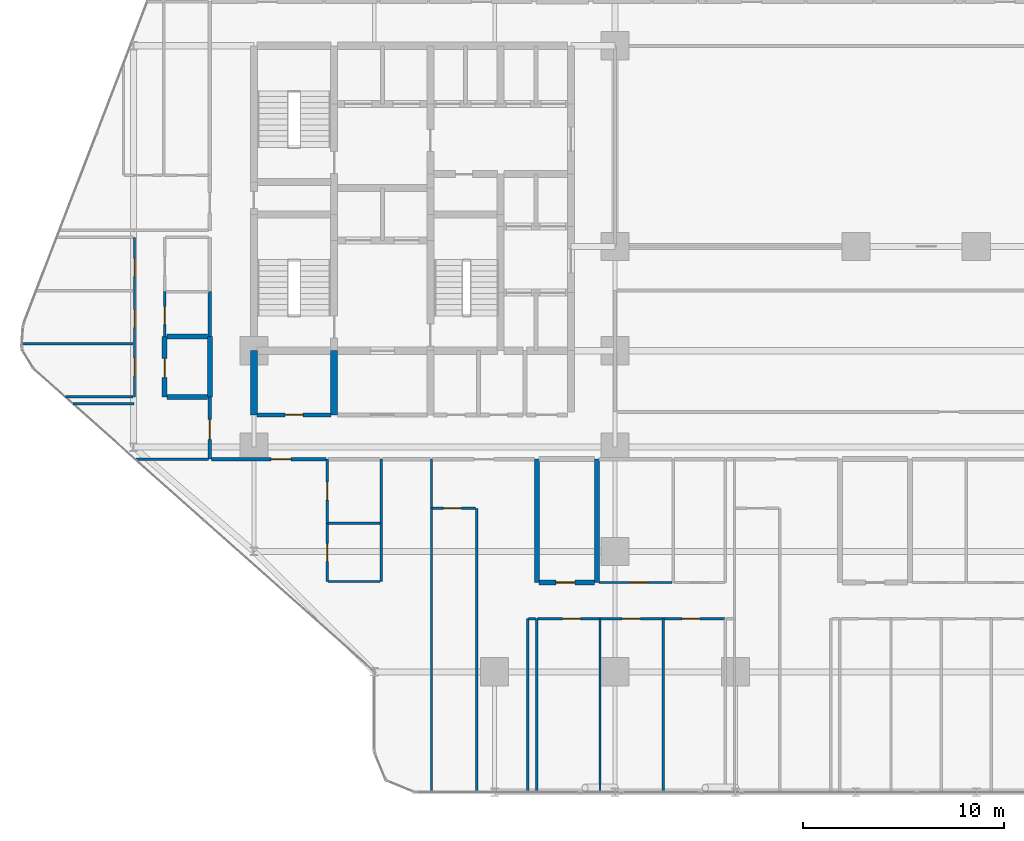
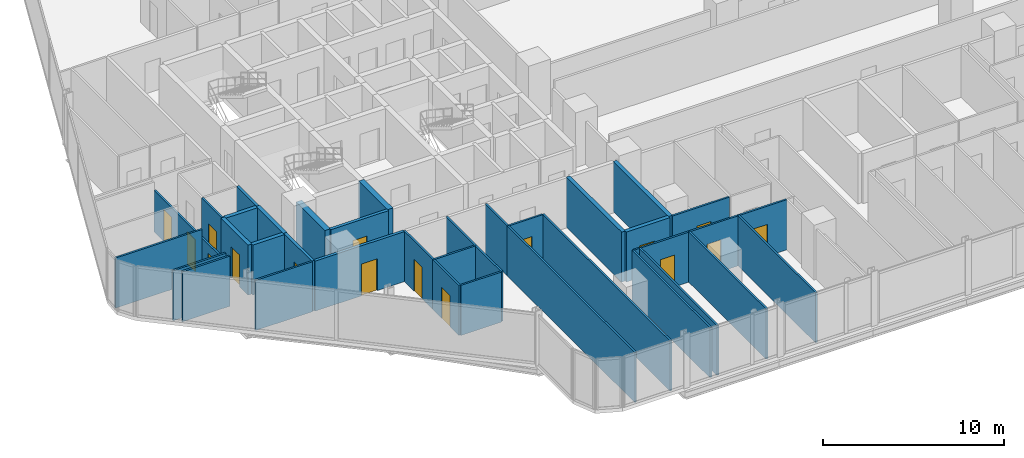
# One storey, part 26 of 33: 36 walls, 16 doors, 16 openings.
"""IFC4 building model written with IfcOpenShell, lengths in metres."""

from ifc_helpers import new_model, si_unit, direction, frame, frame_2d, origin, place, context, subcontext, project, spatial, rectangle, extrude, material, layer, layer_set, type_object, element, fill, save


model = new_model("IFC4")

# Units and contexts
model_context = context("Model", 3, precision=1e-05, world=origin(), true_north=direction((0.0, 1.0)))
body_context = subcontext(model_context, "Body", "Model", "MODEL_VIEW")
ifc_project = project(units=[si_unit("LENGTHUNIT", "METRE"), si_unit("AREAUNIT", "SQUARE_METRE"), si_unit("VOLUMEUNIT", "CUBIC_METRE"), si_unit("PLANEANGLEUNIT", "RADIAN"), si_unit("MASSUNIT", "GRAM", prefix="KILO")], contexts=[model_context])

# Site, building, storey
site_placement = place(None, origin())
site = spatial("IfcSite", under=ifc_project, at=site_placement, CompositionType="ELEMENT")
building_placement = place(site_placement, origin())
building = spatial("IfcBuilding", under=site, at=building_placement, Name="Keshet Zoharim Tower", CompositionType="ELEMENT")
storey_placement = place(building_placement, frame((0.0, 0.0, 27.699951171875)))
storey = spatial("IfcBuildingStorey", under=building, at=storey_placement, Name="L05", CompositionType="ELEMENT", Elevation=27.699951171875)

# Walls
ifc_material_1 = material(Name="Concrete C60/75", Category="concrete")
ifc_layer_1 = layer(ifc_material_1, 0.35009765625)
ifc_layer_set_1 = layer_set([ifc_layer_1], Name="Concrete C60/75")
wall_type_1 = type_object("IfcWallType", Name="WL-CORE-350", PredefinedType="SHEAR", material=ifc_layer_set_1)
for number, where, z_axis, x_axis, name in (
    (1, (15.0, 19.5, 0.0), (0.0, 0.0, 1.0), (0.0, 1.0, 0.0), "L05 Core Shear Wall 013"),
    (2, (19.0, 19.5, 0.0), (0.0, 0.0, 1.0), (0.0, 1.0, 0.0), "L05 Core Shear Wall 021"),
):
    element("IfcWall", number, at=place(storey_placement, frame(where, z_axis=z_axis, x_axis=x_axis)), inside=storey, type_object=wall_type_1, Name=name, PredefinedType="SHEAR", context=body_context, shape_type="SweptSolid", body=[
        extrude(rectangle(XDim=3.199951171875, YDim=0.35009765625, at=frame_2d((1.60009765625, 0.0))), origin(), (0.0, 0.0, 1.0), 3.385009765625),
    ])

# Wall, opening, door
ifc_material_2 = material(Name="Gypsum Plasterboard", Category="gypsum")
ifc_layer_2 = layer(ifc_material_2, 0.179931640625)
ifc_layer_set_2 = layer_set([ifc_layer_2], Name="Gypsum Plasterboard")
wall_type_2 = type_object("IfcWallType", Name="WL-CORR-180", PredefinedType="STANDARD", material=ifc_layer_set_2)
wall_1_placement = place(storey_placement, frame((12.800048828125, 17.300048828125, 0.0), z_axis=(0.0, 0.0, 1.0), x_axis=(0.0, 1.0, 0.0)))
wall_1 = element("IfcWall", 3, at=wall_1_placement, inside=storey, type_object=wall_type_2, Name="L05 Interior Wall 007", PredefinedType="STANDARD", context=body_context, shape_type="SweptSolid", body=[
    extrude(rectangle(XDim=3.099853515625, YDim=0.179931640625, at=frame_2d((1.5498046875, 0.0))), origin(), (0.0, 0.0, 1.0), 3.385009765625),
])
opening_1_placement = place(wall_1_placement, frame((0.97802734375, 0.0, 0.0)))
opening_1 = element("IfcOpeningElement", 4, at=opening_1_placement, cuts=wall_1, Name="Opening D-F310", PredefinedType="OPENING", context=body_context, shape_type="SweptSolid", body=[
    extrude(rectangle(XDim=1.0, YDim=2.14990234375, at=frame_2d((0.5, 1.074951171875))), frame((0.0, 0.10009765625, 0.0), z_axis=(0.0, -1.0, 0.0), x_axis=(1.0, 0.0, 0.0)), (0.0, 0.0, 1.0), 0.199951171875),
])
ifc_material_3 = material(Name="Hardwood Timber", Category="wood")
door_type_1 = type_object("IfcDoorType", Name="DR-FD30-100", OperationType="NOTDEFINED", PredefinedType="DOOR", material=ifc_material_3)
door_1_placement = place(opening_1_placement, origin())
door_1 = element("IfcDoor", 5, at=door_1_placement, inside=storey, type_object=door_type_1, Name="Apartment 0509 Entrance Door", OperationType="SINGLE_SWING_LEFT", OverallHeight=2.14990234375, OverallWidth=1.0, PredefinedType="DOOR", context=body_context, shape_type="SweptSolid", body=[
    extrude(rectangle(XDim=1.0, YDim=2.14990234375, at=frame_2d((0.5, 1.074951171875))), frame((0.0, 0.02490234375, 0.0), z_axis=(0.0, -1.0, 0.0), x_axis=(1.0, 0.0, 0.0)), (0.0, 0.0, 1.0), 0.050048828125),
])
fill(opening_1, door_1)

# Wall
wall_2_placement = place(storey_placement, frame((12.800048828125, 23.4208984375, 0.0), z_axis=(0.0, 0.0, 1.0), x_axis=(0.0, 1.0, 0.0)))
element("IfcWall", 6, at=wall_2_placement, inside=storey, type_object=wall_type_2, Name="L05 Interior Wall 009", PredefinedType="STANDARD", context=body_context, shape_type="SweptSolid", body=[
    extrude(rectangle(XDim=2.22607421875, YDim=0.179931640625, at=frame_2d((1.113037109375, 0.0))), origin(), (0.0, 0.0, 1.0), 3.385009765625),
])

# Wall, opening, door
wall_3_placement = place(storey_placement, frame((12.875, 17.300048828125, 0.0), z_axis=(0.0, 0.0, 1.0), x_axis=(1.0, 0.0, 0.0)))
wall_3 = element("IfcWall", 7, at=wall_3_placement, inside=storey, type_object=wall_type_2, Name="L05 Interior Wall 152", PredefinedType="STANDARD", context=body_context, shape_type="SweptSolid", body=[
    extrude(rectangle(XDim=5.719970703125, YDim=0.179931640625, at=frame_2d((2.85986328125, 0.0))), origin(), (0.0, 0.0, 1.0), 3.385009765625),
])
opening_2_placement = place(wall_3_placement, frame((2.97509765625, 0.0, 0.0)))
opening_2 = element("IfcOpeningElement", 8, at=opening_2_placement, cuts=wall_3, Name="Opening D-F310", PredefinedType="OPENING", context=body_context, shape_type="SweptSolid", body=[
    extrude(rectangle(XDim=1.0, YDim=2.14990234375, at=frame_2d((0.5, 1.074951171875))), frame((0.0, 0.10009765625, 0.0), z_axis=(0.0, -1.0, 0.0), x_axis=(1.0, 0.0, 0.0)), (0.0, 0.0, 1.0), 0.199951171875),
])
door_2_placement = place(opening_2_placement, origin())
door_2 = element("IfcDoor", 9, at=door_2_placement, inside=storey, type_object=door_type_1, Name="Apartment 0501 Entrance Door", OperationType="SINGLE_SWING_RIGHT", OverallHeight=2.14990234375, OverallWidth=1.0, PredefinedType="DOOR", context=body_context, shape_type="SweptSolid", body=[
    extrude(rectangle(XDim=1.0, YDim=2.14990234375, at=frame_2d((0.5, 1.074951171875))), frame((0.0, 0.02490234375, 0.0), z_axis=(0.0, -1.0, 0.0), x_axis=(1.0, 0.0, 0.0)), (0.0, 0.0, 1.0), 0.050048828125),
])
fill(opening_2, door_2)

ifc_material_4 = material(Name="Concrete C50/60", Category="concrete")
ifc_layer_3 = layer(ifc_material_4, 0.199951171875)
ifc_layer_set_3 = layer_set([ifc_layer_3], Name="Concrete C50/60")
wall_type_3 = type_object("IfcWallType", Name="WL-FIRE-200", PredefinedType="STANDARD", material=ifc_layer_set_3)
wall_4_placement = place(storey_placement, frame((15.159912109375, 19.5, 0.0), z_axis=(0.0, 0.0, 1.0), x_axis=(1.0, 0.0, 0.0)))
wall_4 = element("IfcWall", 10, at=wall_4_placement, inside=storey, type_object=wall_type_3, Name="L05 Interior Wall 168", PredefinedType="STANDARD", context=body_context, shape_type="SweptSolid", body=[
    extrude(rectangle(XDim=3.68017578125, YDim=0.199951171875, at=frame_2d((1.840087890625, 0.0))), origin(), (0.0, 0.0, 1.0), 3.385009765625),
])
opening_3_placement = place(wall_4_placement, frame((1.389892578125, 0.0, 0.0)))
opening_3 = element("IfcOpeningElement", 11, at=opening_3_placement, cuts=wall_4, Name="Opening D-F690", PredefinedType="OPENING", context=body_context, shape_type="SweptSolid", body=[
    extrude(rectangle(XDim=0.89990234375, YDim=2.14990234375, at=frame_2d((0.449951171875, 1.074951171875))), frame((0.0, 0.10986328125, 0.0), z_axis=(0.0, -1.0, 0.0), x_axis=(1.0, 0.0, 0.0)), (0.0, 0.0, 1.0), 0.219970703125),
])
door_type_2 = type_object("IfcDoorType", Name="DR-FD60-090", OperationType="NOTDEFINED", PredefinedType="DOOR", material=ifc_material_3)
door_3_placement = place(opening_3_placement, origin())
door_3 = element("IfcDoor", 12, at=door_3_placement, inside=storey, type_object=door_type_2, Name="L05 Pram Store Door", OperationType="SINGLE_SWING_RIGHT", OverallHeight=2.14990234375, OverallWidth=0.89990234375, PredefinedType="DOOR", context=body_context, shape_type="SweptSolid", body=[
    extrude(rectangle(XDim=0.89990234375, YDim=2.14990234375, at=frame_2d((0.449951171875, 1.074951171875))), frame((0.0, 0.02490234375, 0.0), z_axis=(0.0, -1.0, 0.0), x_axis=(1.0, 0.0, 0.0)), (0.0, 0.0, 1.0), 0.050048828125),
])
fill(opening_3, door_3)

ifc_layer_4 = layer(ifc_material_4, 0.25)
ifc_layer_set_4 = layer_set([ifc_layer_4], Name="Concrete C50/60")
wall_type_4 = type_object("IfcWallType", Name="WL-MAMAD-250", PredefinedType="STANDARD", material=ifc_layer_set_4)
wall_5_placement = place(storey_placement, frame((10.550048828125, 20.39990234375, 0.0), z_axis=(0.0, 0.0, 1.0), x_axis=(0.0, 1.0, 0.0)))
wall_5 = element("IfcWall", 13, at=wall_5_placement, inside=storey, type_object=wall_type_4, Name="L05 Interior Wall 004", PredefinedType="STANDARD", context=body_context, shape_type="SweptSolid", body=[
    extrude(rectangle(XDim=3.02099609375, YDim=0.25, at=frame_2d((1.510498046875, 0.0))), origin(), (0.0, 0.0, 1.0), 3.385009765625),
])
opening_4_placement = place(wall_5_placement, frame((0.964111328125, 0.0, 0.0)))
opening_4 = element("IfcOpeningElement", 14, at=opening_4_placement, cuts=wall_5, Name="Opening D-F695", PredefinedType="OPENING", context=body_context, shape_type="SweptSolid", body=[
    extrude(rectangle(XDim=0.949951171875, YDim=2.14990234375, at=frame_2d((0.47509765625, 1.074951171875))), frame((0.0, 0.135009765625, 0.0), z_axis=(0.0, -1.0, 0.0), x_axis=(1.0, 0.0, 0.0)), (0.0, 0.0, 1.0), 0.27001953125),
])
door_type_3 = type_object("IfcDoorType", Name="DR-FD60-095", OperationType="NOTDEFINED", PredefinedType="DOOR", material=ifc_material_3)
door_4_placement = place(opening_4_placement, origin())
door_4 = element("IfcDoor", 15, at=door_4_placement, inside=storey, type_object=door_type_3, Name="Apartment 0509 Study and Shelter Room Door", OperationType="SINGLE_SWING_RIGHT", OverallHeight=2.14990234375, OverallWidth=0.949951171875, PredefinedType="DOOR", context=body_context, shape_type="SweptSolid", body=[
    extrude(rectangle(XDim=0.949951171875, YDim=2.14990234375, at=frame_2d((0.47509765625, 1.074951171875))), frame((0.0, 0.02490234375, 0.0), z_axis=(0.0, -1.0, 0.0), x_axis=(1.0, 0.0, 0.0)), (0.0, 0.0, 1.0), 0.050048828125),
])
fill(opening_4, door_4)

# Walls
wall_6_placement = place(storey_placement, frame((12.800048828125, 20.39990234375, 0.0), z_axis=(0.0, 0.0, 1.0), x_axis=(0.0, 1.0, 0.0)))
element("IfcWall", 16, at=wall_6_placement, inside=storey, type_object=wall_type_4, Name="L05 Interior Wall 008", PredefinedType="STANDARD", context=body_context, shape_type="SweptSolid", body=[
    extrude(rectangle(XDim=3.02099609375, YDim=0.25, at=frame_2d((1.510498046875, 0.0))), origin(), (0.0, 0.0, 1.0), 3.385009765625),
])
for number, where, z_axis, x_axis, name in (
    (17, (29.10009765625, 11.14990234375, 0.0), (0.0, 0.0, 1.0), (0.0, 1.0, 0.0), "L05 Interior Wall 061"),
    (18, (32.10009765625, 11.14990234375, 0.0), (0.0, 0.0, 1.0), (0.0, 1.0, 0.0), "L05 Interior Wall 070"),
):
    element("IfcWall", number, at=place(storey_placement, frame(where, z_axis=z_axis, x_axis=x_axis)), inside=storey, type_object=wall_type_4, Name=name, PredefinedType="STANDARD", context=body_context, shape_type="SweptSolid", body=[
        extrude(rectangle(XDim=6.150146484375, YDim=0.25, at=frame_2d((3.0751953125, 0.0))), origin(), (0.0, 0.0, 1.0), 3.385009765625),
    ])

# Wall, opening, door
wall_7_placement = place(storey_placement, frame((29.199951171875, 11.14990234375, 0.0), z_axis=(0.0, 0.0, 1.0), x_axis=(1.0, 0.0, 0.0)))
wall_7 = element("IfcWall", 19, at=wall_7_placement, inside=storey, type_object=wall_type_4, Name="L05 Interior Wall 137", PredefinedType="STANDARD", context=body_context, shape_type="SweptSolid", body=[
    extrude(rectangle(XDim=2.779052734375, YDim=0.25, at=frame_2d((1.3896484375, 0.0))), origin(), (0.0, 0.0, 1.0), 3.385009765625),
])
opening_5_placement = place(wall_7_placement, frame((0.843994140625, 0.0, 0.0)))
opening_5 = element("IfcOpeningElement", 20, at=opening_5_placement, cuts=wall_7, Name="Opening D-F695", PredefinedType="OPENING", context=body_context, shape_type="SweptSolid", body=[
    extrude(rectangle(XDim=0.949951171875, YDim=2.14990234375, at=frame_2d((0.47509765625, 1.074951171875))), frame((0.0, 0.135009765625, 0.0), z_axis=(0.0, -1.0, 0.0), x_axis=(1.0, 0.0, 0.0)), (0.0, 0.0, 1.0), 0.27001953125),
])
door_5_placement = place(opening_5_placement, origin())
door_5 = element("IfcDoor", 21, at=door_5_placement, inside=storey, type_object=door_type_3, Name="Apartment 0502 Study and Shelter Room Door", OperationType="SINGLE_SWING_RIGHT", OverallHeight=2.14990234375, OverallWidth=0.949951171875, PredefinedType="DOOR", context=body_context, shape_type="SweptSolid", body=[
    extrude(rectangle(XDim=0.949951171875, YDim=2.14990234375, at=frame_2d((0.47509765625, 1.074951171875))), frame((0.0, 0.02490234375, 0.0), z_axis=(0.0, -1.0, 0.0), x_axis=(1.0, 0.0, 0.0)), (0.0, 0.0, 1.0), 0.050048828125),
])
fill(opening_5, door_5)

# Walls
for number, where, z_axis, x_axis, name in (
    (22, (10.659912109375, 20.39990234375, 0.0), (0.0, 0.0, 1.0), (1.0, 0.0, 0.0), "L05 Interior Wall 175"),
    (23, (10.659912109375, 23.39990234375, 0.0), (0.0, 0.0, 1.0), (1.0, 0.0, 0.0), "L05 Interior Wall 182"),
):
    element("IfcWall", number, at=place(storey_placement, frame(where, z_axis=z_axis, x_axis=x_axis)), inside=storey, type_object=wall_type_4, Name=name, PredefinedType="STANDARD", context=body_context, shape_type="SweptSolid", body=[
        extrude(rectangle(XDim=2.030029296875, YDim=0.25, at=frame_2d((1.01513671875, 0.0))), origin(), (0.0, 0.0, 1.0), 3.385009765625),
    ])

# Wall, openings, doors
ifc_layer_5 = layer(ifc_material_2, 0.1201171875)
ifc_layer_set_5 = layer_set([ifc_layer_5], Name="Gypsum Plasterboard")
wall_type_5 = type_object("IfcWallType", Name="WL-PART-120", PredefinedType="PARTITIONING", material=ifc_layer_set_5)
wall_8_placement = place(storey_placement, frame((9.050048828125, 20.39990234375, 0.0), z_axis=(0.0, 0.0, 1.0), x_axis=(0.0, 1.0, 0.0)))
wall_8 = element("IfcWall", 24, at=wall_8_placement, inside=storey, type_object=wall_type_5, Name="L05 Interior Wall 002", PredefinedType="PARTITIONING", context=body_context, shape_type="SweptSolid", body=[
    extrude(rectangle(XDim=7.9501953125, YDim=0.1201171875, at=frame_2d((3.97509765625, 0.0))), origin(), (0.0, 0.0, 1.0), 2.78515625),
])
opening_6_placement = place(wall_8_placement, frame((1.050048828125, 0.0, 0.0)))
opening_6 = element("IfcOpeningElement", 25, at=opening_6_placement, cuts=wall_8, Name="Opening D-IN90", PredefinedType="OPENING", context=body_context, shape_type="SweptSolid", body=[
    extrude(rectangle(XDim=0.89990234375, YDim=2.14990234375, at=frame_2d((0.449951171875, 1.074951171875))), frame((0.0, 0.070068359375, 0.0), z_axis=(0.0, -1.0, 0.0), x_axis=(1.0, 0.0, 0.0)), (0.0, 0.0, 1.0), 0.14013671875),
])
opening_7_placement = place(wall_8_placement, frame((3.455078125, 0.0, 0.0)))
opening_7 = element("IfcOpeningElement", 26, at=opening_7_placement, cuts=wall_8, Name="Opening D-IN90", PredefinedType="OPENING", context=body_context, shape_type="SweptSolid", body=[
    extrude(rectangle(XDim=0.89990234375, YDim=2.14990234375, at=frame_2d((0.449951171875, 1.074951171875))), frame((0.0, 0.070068359375, 0.0), z_axis=(0.0, -1.0, 0.0), x_axis=(1.0, 0.0, 0.0)), (0.0, 0.0, 1.0), 0.14013671875),
])
opening_8_placement = place(wall_8_placement, frame((6.0, 0.0, 0.0)))
opening_8 = element("IfcOpeningElement", 27, at=opening_8_placement, cuts=wall_8, Name="Opening D-IN90", PredefinedType="OPENING", context=body_context, shape_type="SweptSolid", body=[
    extrude(rectangle(XDim=0.89990234375, YDim=2.14990234375, at=frame_2d((0.449951171875, 1.074951171875))), frame((0.0, 0.070068359375, 0.0), z_axis=(0.0, -1.0, 0.0), x_axis=(1.0, 0.0, 0.0)), (0.0, 0.0, 1.0), 0.14013671875),
])
door_type_4 = type_object("IfcDoorType", Name="DR-INT-090", OperationType="NOTDEFINED", PredefinedType="DOOR", material=ifc_material_3)
door_6_placement = place(opening_6_placement, origin())
door_6 = element("IfcDoor", 28, at=door_6_placement, inside=storey, type_object=door_type_4, Name="Apartment 0509 Bedroom 1 Door", OperationType="SINGLE_SWING_LEFT", OverallHeight=2.14990234375, OverallWidth=0.89990234375, PredefinedType="DOOR", context=body_context, shape_type="SweptSolid", body=[
    extrude(rectangle(XDim=0.89990234375, YDim=2.14990234375, at=frame_2d((0.449951171875, 1.074951171875))), frame((0.0, 0.02490234375, 0.0), z_axis=(0.0, -1.0, 0.0), x_axis=(1.0, 0.0, 0.0)), (0.0, 0.0, 1.0), 0.050048828125),
])
fill(opening_6, door_6)
door_7_placement = place(opening_7_placement, origin())
door_7 = element("IfcDoor", 29, at=door_7_placement, inside=storey, type_object=door_type_4, Name="Apartment 0509 Bedroom 2 Door", OperationType="SINGLE_SWING_RIGHT", OverallHeight=2.14990234375, OverallWidth=0.89990234375, PredefinedType="DOOR", context=body_context, shape_type="SweptSolid", body=[
    extrude(rectangle(XDim=0.89990234375, YDim=2.14990234375, at=frame_2d((0.449951171875, 1.074951171875))), frame((0.0, 0.02490234375, 0.0), z_axis=(0.0, -1.0, 0.0), x_axis=(1.0, 0.0, 0.0)), (0.0, 0.0, 1.0), 0.050048828125),
])
fill(opening_7, door_7)
door_8_placement = place(opening_8_placement, origin())
door_8 = element("IfcDoor", 30, at=door_8_placement, inside=storey, type_object=door_type_4, Name="Apartment 0509 Bedroom 3 Door", OperationType="SINGLE_SWING_LEFT", OverallHeight=2.14990234375, OverallWidth=0.89990234375, PredefinedType="DOOR", context=body_context, shape_type="SweptSolid", body=[
    extrude(rectangle(XDim=0.89990234375, YDim=2.14990234375, at=frame_2d((0.449951171875, 1.074951171875))), frame((0.0, 0.02490234375, 0.0), z_axis=(0.0, -1.0, 0.0), x_axis=(1.0, 0.0, 0.0)), (0.0, 0.0, 1.0), 0.050048828125),
])
fill(opening_8, door_8)

# Wall, opening, door
wall_9_placement = place(storey_placement, frame((18.64990234375, 14.10009765625, 0.0), z_axis=(0.0, 0.0, 1.0), x_axis=(0.0, 1.0, 0.0)))
wall_9 = element("IfcWall", 31, at=wall_9_placement, inside=storey, type_object=wall_type_5, Name="L05 Interior Wall 020", PredefinedType="PARTITIONING", context=body_context, shape_type="SweptSolid", body=[
    extrude(rectangle(XDim=3.199951171875, YDim=0.1201171875, at=frame_2d((1.60009765625, 0.0))), origin(), (0.0, 0.0, 1.0), 3.385009765625),
])
opening_9_placement = place(wall_9_placement, frame((1.14990234375, 0.0, 0.0)))
opening_9 = element("IfcOpeningElement", 32, at=opening_9_placement, cuts=wall_9, Name="Opening D-IN90", PredefinedType="OPENING", context=body_context, shape_type="SweptSolid", body=[
    extrude(rectangle(XDim=0.89990234375, YDim=2.14990234375, at=frame_2d((0.449951171875, 1.074951171875))), frame((0.0, 0.070068359375, 0.0), z_axis=(0.0, -1.0, 0.0), x_axis=(1.0, 0.0, 0.0)), (0.0, 0.0, 1.0), 0.14013671875),
])
door_9_placement = place(opening_9_placement, origin())
door_9 = element("IfcDoor", 33, at=door_9_placement, inside=storey, type_object=door_type_4, Name="Apartment 0501 Kitchenette Door", OperationType="SINGLE_SWING_RIGHT", OverallHeight=2.14990234375, OverallWidth=0.89990234375, PredefinedType="DOOR", context=body_context, shape_type="SweptSolid", body=[
    extrude(rectangle(XDim=0.89990234375, YDim=2.14990234375, at=frame_2d((0.449951171875, 1.074951171875))), frame((0.0, 0.02490234375, 0.0), z_axis=(0.0, -1.0, 0.0), x_axis=(1.0, 0.0, 0.0)), (0.0, 0.0, 1.0), 0.050048828125),
])
fill(opening_9, door_9)

# Walls
wall_10_placement = place(storey_placement, frame((21.35009765625, 14.10009765625, 0.0), z_axis=(0.0, 0.0, 1.0), x_axis=(0.0, 1.0, 0.0)))
element("IfcWall", 34, at=wall_10_placement, inside=storey, type_object=wall_type_5, Name="L05 Interior Wall 029", PredefinedType="PARTITIONING", context=body_context, shape_type="SweptSolid", body=[
    extrude(rectangle(XDim=3.199951171875, YDim=0.1201171875, at=frame_2d((1.60009765625, 0.0))), origin(), (0.0, 0.0, 1.0), 3.385009765625),
])
wall_11_placement = place(storey_placement, frame((23.85009765625, 0.7099609375, 0.0), z_axis=(0.0, 0.0, 1.0), x_axis=(0.0, 1.0, 0.0)))
element("IfcWall", 35, at=wall_11_placement, inside=storey, type_object=wall_type_5, Name="L05 Interior Wall 041", PredefinedType="PARTITIONING", context=body_context, shape_type="SweptSolid", body=[
    extrude(rectangle(XDim=14.14013671875, YDim=0.1201171875, at=frame_2d((7.070068359375, 0.0))), origin(), (0.0, 0.0, 1.0), 3.385009765625),
])
wall_12_placement = place(storey_placement, frame((23.85009765625, 14.85009765625, 0.0), z_axis=(0.0, 0.0, 1.0), x_axis=(0.0, 1.0, 0.0)))
element("IfcWall", 36, at=wall_12_placement, inside=storey, type_object=wall_type_5, Name="L05 Interior Wall 042", PredefinedType="PARTITIONING", context=body_context, shape_type="SweptSolid", body=[
    extrude(rectangle(XDim=2.449951171875, YDim=0.1201171875, at=frame_2d((1.22509765625, 0.0))), origin(), (0.0, 0.0, 1.0), 3.385009765625),
])
wall_13_placement = place(storey_placement, frame((26.10009765625, 0.7099609375, 0.0), z_axis=(0.0, 0.0, 1.0), x_axis=(0.0, 1.0, 0.0)))
element("IfcWall", 37, at=wall_13_placement, inside=storey, type_object=wall_type_5, Name="L05 Interior Wall 045", PredefinedType="PARTITIONING", context=body_context, shape_type="SweptSolid", body=[
    extrude(rectangle(XDim=14.14013671875, YDim=0.1201171875, at=frame_2d((7.070068359375, 0.0))), origin(), (0.0, 0.0, 1.0), 3.385009765625),
])
for number, where, z_axis, x_axis, name in (
    (38, (28.64990234375, 0.7099609375, 0.0), (0.0, 0.0, 1.0), (0.0, 1.0, 0.0), "L05 Interior Wall 054"),
    (39, (29.10009765625, 0.7099609375, 0.0), (0.0, 0.0, 1.0), (0.0, 1.0, 0.0), "L05 Interior Wall 060"),
    (40, (32.25, 0.7099609375, 0.0), (0.0, 0.0, 1.0), (0.0, 1.0, 0.0), "L05 Interior Wall 071"),
    (41, (35.39990234375, 0.7099609375, 0.0), (0.0, 0.0, 1.0), (0.0, 1.0, 0.0), "L05 Interior Wall 076"),
):
    element("IfcWall", number, at=place(storey_placement, frame(where, z_axis=z_axis, x_axis=x_axis)), inside=storey, type_object=wall_type_5, Name=name, PredefinedType="PARTITIONING", context=body_context, shape_type="SweptSolid", body=[
        extrude(rectangle(XDim=8.64013671875, YDim=0.1201171875, at=frame_2d((4.320068359375, 0.0))), origin(), (0.0, 0.0, 1.0), 3.385009765625),
    ])
wall_14_placement = place(storey_placement, frame((28.68505859375, 9.35009765625, 0.0), z_axis=(0.0, 0.0, 1.0), x_axis=(1.0, 0.0, 0.0)))
element("IfcWall", 42, at=wall_14_placement, inside=storey, type_object=wall_type_5, Name="L05 Interior Wall 129", PredefinedType="PARTITIONING", context=body_context, shape_type="SweptSolid", body=[
    extrude(rectangle(XDim=0.35986328125, YDim=0.1201171875, at=frame_2d((0.179931640625, 0.0))), origin(), (0.0, 0.0, 1.0), 3.385009765625),
])

# Wall, openings, doors
wall_15_placement = place(storey_placement, frame((29.135009765625, 9.35009765625, 0.0), z_axis=(0.0, 0.0, 1.0), x_axis=(1.0, 0.0, 0.0)))
wall_15 = element("IfcWall", 43, at=wall_15_placement, inside=storey, type_object=wall_type_5, Name="L05 Interior Wall 130", PredefinedType="PARTITIONING", context=body_context, shape_type="SweptSolid", body=[
    extrude(rectangle(XDim=9.340087890625, YDim=0.1201171875, at=frame_2d((4.669921875, 0.0))), origin(), (0.0, 0.0, 1.0), 3.385009765625),
])
opening_10_placement = place(wall_15_placement, frame((1.2509765625, 0.0, 0.0)))
opening_10 = element("IfcOpeningElement", 44, at=opening_10_placement, cuts=wall_15, Name="Opening D-IN90", PredefinedType="OPENING", context=body_context, shape_type="SweptSolid", body=[
    extrude(rectangle(XDim=0.89990234375, YDim=2.14990234375, at=frame_2d((0.449951171875, 1.074951171875))), frame((0.0, 0.070068359375, 0.0), z_axis=(0.0, -1.0, 0.0), x_axis=(1.0, 0.0, 0.0)), (0.0, 0.0, 1.0), 0.14013671875),
])
opening_11_placement = place(wall_15_placement, frame((4.219970703125, 0.0, 0.0)))
opening_11 = element("IfcOpeningElement", 45, at=opening_11_placement, cuts=wall_15, Name="Opening D-IN90", PredefinedType="OPENING", context=body_context, shape_type="SweptSolid", body=[
    extrude(rectangle(XDim=0.89990234375, YDim=2.14990234375, at=frame_2d((0.449951171875, 1.074951171875))), frame((0.0, 0.070068359375, 0.0), z_axis=(0.0, -1.0, 0.0), x_axis=(1.0, 0.0, 0.0)), (0.0, 0.0, 1.0), 0.14013671875),
])
opening_12_placement = place(wall_15_placement, frame((7.18896484375, 0.0, 0.0)))
opening_12 = element("IfcOpeningElement", 46, at=opening_12_placement, cuts=wall_15, Name="Opening D-IN90", PredefinedType="OPENING", context=body_context, shape_type="SweptSolid", body=[
    extrude(rectangle(XDim=0.89990234375, YDim=2.14990234375, at=frame_2d((0.449951171875, 1.074951171875))), frame((0.0, 0.070068359375, 0.0), z_axis=(0.0, -1.0, 0.0), x_axis=(1.0, 0.0, 0.0)), (0.0, 0.0, 1.0), 0.14013671875),
])
door_10_placement = place(opening_10_placement, origin())
door_10 = element("IfcDoor", 47, at=door_10_placement, inside=storey, type_object=door_type_4, Name="Apartment 0502 Bedroom 1 Door", OperationType="SINGLE_SWING_RIGHT", OverallHeight=2.14990234375, OverallWidth=0.89990234375, PredefinedType="DOOR", context=body_context, shape_type="SweptSolid", body=[
    extrude(rectangle(XDim=0.89990234375, YDim=2.14990234375, at=frame_2d((0.449951171875, 1.074951171875))), frame((0.0, 0.02490234375, 0.0), z_axis=(0.0, -1.0, 0.0), x_axis=(1.0, 0.0, 0.0)), (0.0, 0.0, 1.0), 0.050048828125),
])
fill(opening_10, door_10)
door_11_placement = place(opening_11_placement, origin())
door_11 = element("IfcDoor", 48, at=door_11_placement, inside=storey, type_object=door_type_4, Name="Apartment 0502 Bedroom 2 Door", OperationType="SINGLE_SWING_LEFT", OverallHeight=2.14990234375, OverallWidth=0.89990234375, PredefinedType="DOOR", context=body_context, shape_type="SweptSolid", body=[
    extrude(rectangle(XDim=0.89990234375, YDim=2.14990234375, at=frame_2d((0.449951171875, 1.074951171875))), frame((0.0, 0.02490234375, 0.0), z_axis=(0.0, -1.0, 0.0), x_axis=(1.0, 0.0, 0.0)), (0.0, 0.0, 1.0), 0.050048828125),
])
fill(opening_11, door_11)
door_12_placement = place(opening_12_placement, origin())
door_12 = element("IfcDoor", 49, at=door_12_placement, inside=storey, type_object=door_type_4, Name="Apartment 0502 Bedroom 3 Door", OperationType="SINGLE_SWING_RIGHT", OverallHeight=2.14990234375, OverallWidth=0.89990234375, PredefinedType="DOOR", context=body_context, shape_type="SweptSolid", body=[
    extrude(rectangle(XDim=0.89990234375, YDim=2.14990234375, at=frame_2d((0.449951171875, 1.074951171875))), frame((0.0, 0.02490234375, 0.0), z_axis=(0.0, -1.0, 0.0), x_axis=(1.0, 0.0, 0.0)), (0.0, 0.0, 1.0), 0.050048828125),
])
fill(opening_12, door_12)

# Wall, opening, door
wall_16_placement = place(storey_placement, frame((32.198974609375, 11.14990234375, 0.0), z_axis=(0.0, 0.0, 1.0), x_axis=(1.0, 0.0, 0.0)))
wall_16 = element("IfcWall", 50, at=wall_16_placement, inside=storey, type_object=wall_type_5, Name="L05 Interior Wall 138", PredefinedType="PARTITIONING", context=body_context, shape_type="SweptSolid", body=[
    extrude(rectangle(XDim=3.635986328125, YDim=0.1201171875, at=frame_2d((1.81787109375, 0.0))), origin(), (0.0, 0.0, 1.0), 3.385009765625),
])
opening_13_placement = place(wall_16_placement, frame((1.5458984375, 0.0, 0.0)))
opening_13 = element("IfcOpeningElement", 51, at=opening_13_placement, cuts=wall_16, Name="Opening D-IN90", PredefinedType="OPENING", context=body_context, shape_type="SweptSolid", body=[
    extrude(rectangle(XDim=0.89990234375, YDim=2.14990234375, at=frame_2d((0.449951171875, 1.074951171875))), frame((0.0, 0.070068359375, 0.0), z_axis=(0.0, -1.0, 0.0), x_axis=(1.0, 0.0, 0.0)), (0.0, 0.0, 1.0), 0.14013671875),
])
door_13_placement = place(opening_13_placement, origin())
door_13 = element("IfcDoor", 52, at=door_13_placement, inside=storey, type_object=door_type_4, Name="Apartment 0502 Kitchen Door", OperationType="SINGLE_SWING_LEFT", OverallHeight=2.14990234375, OverallWidth=0.89990234375, PredefinedType="DOOR", context=body_context, shape_type="SweptSolid", body=[
    extrude(rectangle(XDim=0.89990234375, YDim=2.14990234375, at=frame_2d((0.449951171875, 1.074951171875))), frame((0.0, 0.02490234375, 0.0), z_axis=(0.0, -1.0, 0.0), x_axis=(1.0, 0.0, 0.0)), (0.0, 0.0, 1.0), 0.050048828125),
])
fill(opening_13, door_13)

wall_17_placement = place(storey_placement, frame((23.885009765625, 14.85009765625, 0.0), z_axis=(0.0, 0.0, 1.0), x_axis=(1.0, 0.0, 0.0)))
wall_17 = element("IfcWall", 53, at=wall_17_placement, inside=storey, type_object=wall_type_5, Name="L05 Interior Wall 148", PredefinedType="PARTITIONING", context=body_context, shape_type="SweptSolid", body=[
    extrude(rectangle(XDim=2.159912109375, YDim=0.1201171875, at=frame_2d((1.080078125, 0.0))), origin(), (0.0, 0.0, 1.0), 3.385009765625),
])
opening_14_placement = place(wall_17_placement, frame((0.552978515625, 0.0, 0.0)))
opening_14 = element("IfcOpeningElement", 54, at=opening_14_placement, cuts=wall_17, Name="Opening D-IN90", PredefinedType="OPENING", context=body_context, shape_type="SweptSolid", body=[
    extrude(rectangle(XDim=0.89990234375, YDim=2.14990234375, at=frame_2d((0.449951171875, 1.074951171875))), frame((0.0, 0.070068359375, 0.0), z_axis=(0.0, -1.0, 0.0), x_axis=(1.0, 0.0, 0.0)), (0.0, 0.0, 1.0), 0.14013671875),
])
door_14_placement = place(opening_14_placement, origin())
door_14 = element("IfcDoor", 55, at=door_14_placement, inside=storey, type_object=door_type_4, Name="Apartment 0502 Formal Dining Room Door", OperationType="SINGLE_SWING_LEFT", OverallHeight=2.14990234375, OverallWidth=0.89990234375, PredefinedType="DOOR", context=body_context, shape_type="SweptSolid", body=[
    extrude(rectangle(XDim=0.89990234375, YDim=2.14990234375, at=frame_2d((0.449951171875, 1.074951171875))), frame((0.0, 0.02490234375, 0.0), z_axis=(0.0, -1.0, 0.0), x_axis=(1.0, 0.0, 0.0)), (0.0, 0.0, 1.0), 0.050048828125),
])
fill(opening_14, door_14)

# Walls
wall_18_placement = place(storey_placement, frame((9.0849609375, 17.300048828125, 0.0), z_axis=(0.0, 0.0, 1.0), x_axis=(1.0, 0.0, 0.0)))
element("IfcWall", 56, at=wall_18_placement, inside=storey, type_object=wall_type_5, Name="L05 Interior Wall 151", PredefinedType="PARTITIONING", context=body_context, shape_type="SweptSolid", body=[
    extrude(rectangle(XDim=3.64013671875, YDim=0.1201171875, at=frame_2d((1.820068359375, 0.0))), origin(), (0.0, 0.0, 1.0), 3.385009765625),
])
wall_19_placement = place(storey_placement, frame((5.990966796875, 20.050048828125, 0.0), z_axis=(0.0, 0.0, 1.0), x_axis=(1.0, 0.0, 0.0)))
element("IfcWall", 57, at=wall_19_placement, inside=storey, type_object=wall_type_5, Name="L05 Interior Wall 173", PredefinedType="PARTITIONING", context=body_context, shape_type="SweptSolid", body=[
    extrude(rectangle(XDim=3.0390625, YDim=0.1201171875, at=frame_2d((1.51953125, 0.0))), origin(), (0.0, 0.0, 1.0), 3.385009765625),
])
wall_20_placement = place(storey_placement, frame((5.597900390625, 20.39990234375, 0.0), z_axis=(0.0, 0.0, 1.0), x_axis=(1.0, 0.0, 0.0)))
element("IfcWall", 58, at=wall_20_placement, inside=storey, type_object=wall_type_5, Name="L05 Interior Wall 174", PredefinedType="PARTITIONING", context=body_context, shape_type="SweptSolid", body=[
    extrude(rectangle(XDim=3.38720703125, YDim=0.1201171875, at=frame_2d((1.693603515625, 0.0))), origin(), (0.0, 0.0, 1.0), 3.385009765625),
])
wall_21_placement = place(storey_placement, frame((3.446044921875, 23.050048828125, 0.0), z_axis=(0.0, 0.0, 1.0), x_axis=(1.0, 0.0, 0.0)))
element("IfcWall", 59, at=wall_21_placement, inside=storey, type_object=wall_type_5, Name="L05 Interior Wall 181", PredefinedType="PARTITIONING", context=body_context, shape_type="SweptSolid", body=[
    extrude(rectangle(XDim=5.5390625, YDim=0.1201171875, at=frame_2d((2.76953125, 0.0))), origin(), (0.0, 0.0, 1.0), 3.385009765625),
])

# Wall, opening, door
ifc_layer_6 = layer(ifc_material_2, 0.1201171875)
ifc_layer_set_6 = layer_set([ifc_layer_6], Name="Gypsum Plasterboard")
wall_type_6 = type_object("IfcWallType", Name="WL-WET-120", PredefinedType="PARTITIONING", material=ifc_layer_set_6)
wall_22_placement = place(storey_placement, frame((10.550048828125, 23.4208984375, 0.0), z_axis=(0.0, 0.0, 1.0), x_axis=(0.0, 1.0, 0.0)))
wall_22 = element("IfcWall", 60, at=wall_22_placement, inside=storey, type_object=wall_type_6, Name="L05 Interior Wall 005", PredefinedType="PARTITIONING", context=body_context, shape_type="SweptSolid", body=[
    extrude(rectangle(XDim=2.22607421875, YDim=0.1201171875, at=frame_2d((1.113037109375, 0.0))), origin(), (0.0, 0.0, 1.0), 3.385009765625),
])
opening_15_placement = place(wall_22_placement, frame((0.583984375, 0.0, 0.0)))
opening_15 = element("IfcOpeningElement", 61, at=opening_15_placement, cuts=wall_22, Name="Opening D-WT90", PredefinedType="OPENING", context=body_context, shape_type="SweptSolid", body=[
    extrude(rectangle(XDim=0.89990234375, YDim=2.10009765625, at=frame_2d((0.449951171875, 1.050048828125))), frame((0.0, 0.070068359375, 0.0), z_axis=(0.0, -1.0, 0.0), x_axis=(1.0, 0.0, 0.0)), (0.0, 0.0, 1.0), 0.14013671875),
])
door_type_5 = type_object("IfcDoorType", Name="DR-WET-090", OperationType="NOTDEFINED", PredefinedType="DOOR", material=ifc_material_3)
door_15_placement = place(opening_15_placement, origin())
door_15 = element("IfcDoor", 62, at=door_15_placement, inside=storey, type_object=door_type_5, Name="Apartment 0509 Bathroom Door", OperationType="SINGLE_SWING_LEFT", OverallHeight=2.10009765625, OverallWidth=0.89990234375, PredefinedType="DOOR", context=body_context, shape_type="SweptSolid", body=[
    extrude(rectangle(XDim=0.89990234375, YDim=2.10009765625, at=frame_2d((0.449951171875, 1.050048828125))), frame((0.0, 0.02490234375, 0.0), z_axis=(0.0, -1.0, 0.0), x_axis=(1.0, 0.0, 0.0)), (0.0, 0.0, 1.0), 0.050048828125),
])
fill(opening_15, door_15)

wall_23_placement = place(storey_placement, frame((18.64990234375, 11.199951171875, 0.0), z_axis=(0.0, 0.0, 1.0), x_axis=(0.0, 1.0, 0.0)))
wall_23 = element("IfcWall", 63, at=wall_23_placement, inside=storey, type_object=wall_type_6, Name="L05 Interior Wall 019", PredefinedType="PARTITIONING", context=body_context, shape_type="SweptSolid", body=[
    extrude(rectangle(XDim=2.900146484375, YDim=0.1201171875, at=frame_2d((1.4501953125, 0.0))), origin(), (0.0, 0.0, 1.0), 3.385009765625),
])
opening_16_placement = place(wall_23_placement, frame((1.0, 0.0, 0.0)))
opening_16 = element("IfcOpeningElement", 64, at=opening_16_placement, cuts=wall_23, Name="Opening D-WT90", PredefinedType="OPENING", context=body_context, shape_type="SweptSolid", body=[
    extrude(rectangle(XDim=0.89990234375, YDim=2.10009765625, at=frame_2d((0.449951171875, 1.050048828125))), frame((0.0, 0.070068359375, 0.0), z_axis=(0.0, -1.0, 0.0), x_axis=(1.0, 0.0, 0.0)), (0.0, 0.0, 1.0), 0.14013671875),
])
door_16_placement = place(opening_16_placement, origin())
door_16 = element("IfcDoor", 65, at=door_16_placement, inside=storey, type_object=door_type_5, Name="Apartment 0501 Bathroom Door", OperationType="SINGLE_SWING_LEFT", OverallHeight=2.10009765625, OverallWidth=0.89990234375, PredefinedType="DOOR", context=body_context, shape_type="SweptSolid", body=[
    extrude(rectangle(XDim=0.89990234375, YDim=2.10009765625, at=frame_2d((0.449951171875, 1.050048828125))), frame((0.0, 0.02490234375, 0.0), z_axis=(0.0, -1.0, 0.0), x_axis=(1.0, 0.0, 0.0)), (0.0, 0.0, 1.0), 0.050048828125),
])
fill(opening_16, door_16)

# Walls
wall_24_placement = place(storey_placement, frame((21.35009765625, 11.199951171875, 0.0), z_axis=(0.0, 0.0, 1.0), x_axis=(0.0, 1.0, 0.0)))
element("IfcWall", 66, at=wall_24_placement, inside=storey, type_object=wall_type_6, Name="L05 Interior Wall 028", PredefinedType="PARTITIONING", context=body_context, shape_type="SweptSolid", body=[
    extrude(rectangle(XDim=2.900146484375, YDim=0.1201171875, at=frame_2d((1.4501953125, 0.0))), origin(), (0.0, 0.0, 1.0), 3.385009765625),
])
for number, where, z_axis, x_axis, name in (
    (67, (18.68505859375, 11.199951171875, 0.0), (0.0, 0.0, 1.0), (1.0, 0.0, 0.0), "L05 Interior Wall 146"),
    (68, (18.68505859375, 14.10009765625, 0.0), (0.0, 0.0, 1.0), (1.0, 0.0, 0.0), "L05 Interior Wall 147"),
):
    element("IfcWall", number, at=place(storey_placement, frame(where, z_axis=z_axis, x_axis=x_axis)), inside=storey, type_object=wall_type_6, Name=name, PredefinedType="PARTITIONING", context=body_context, shape_type="SweptSolid", body=[
        extrude(rectangle(XDim=2.60986328125, YDim=0.1201171875, at=frame_2d((1.304931640625, 0.0))), origin(), (0.0, 0.0, 1.0), 3.385009765625),
    ])

save(model, "model.ifc")
